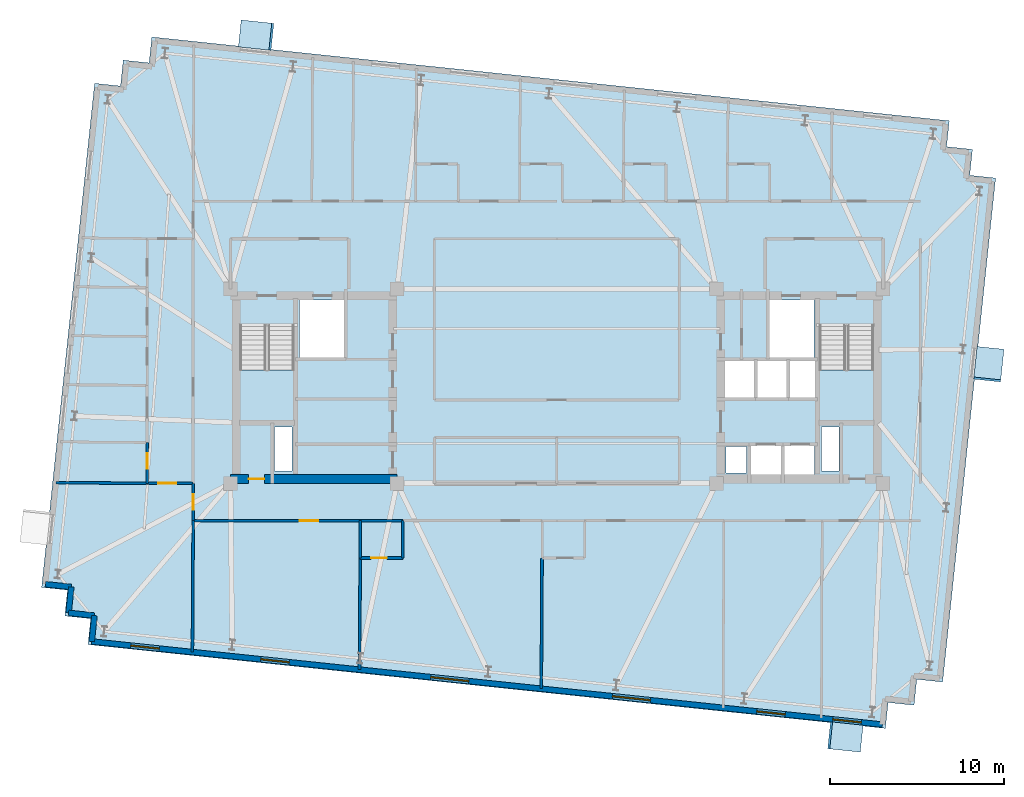
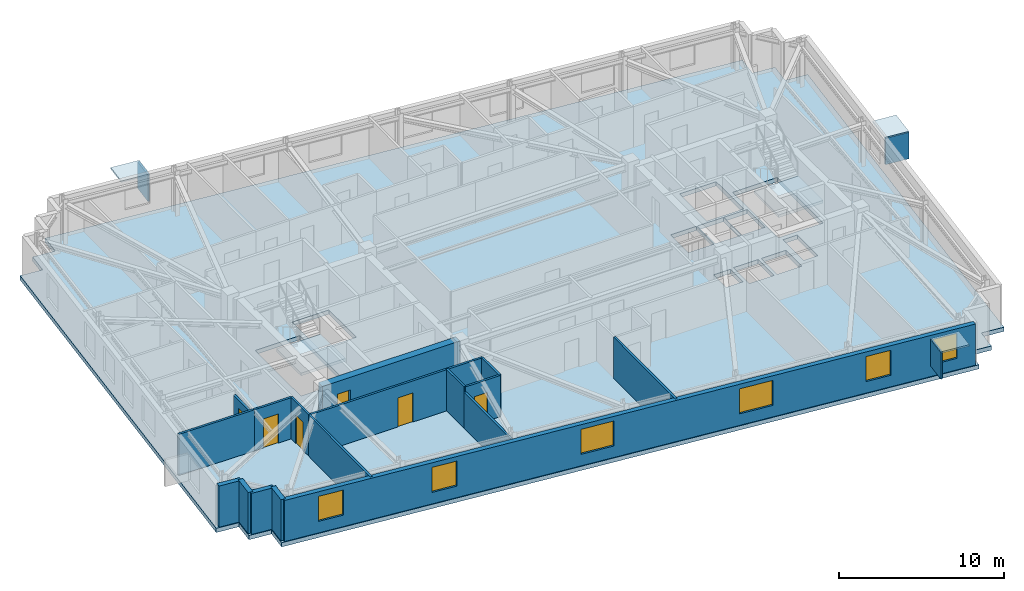
# One storey, part 5 of 12: 18 walls, 6 doors, 6 plates, 6 windows, 3 slabs, 12 openings, 2 elements without a shape of their own.
"""IFC4 building model written with IfcOpenShell, lengths in metres."""

from ifc_helpers import new_model, si_unit, direction, frame, frame_2d, origin, origin_2d, place, context, subcontext, project, spatial, polyline, rectangle, outline, extrude, material, layer, layer_set, type_object, element, fill, aggregate, save


model = new_model("IFC4")

# Units and contexts
model_context = context("Model", 3, precision=1e-05, world=origin(), true_north=direction((0.0, 1.0)))
body_context = subcontext(model_context, "Body", "Model", "MODEL_VIEW")
ifc_project = project(units=[si_unit("LENGTHUNIT", "METRE"), si_unit("AREAUNIT", "SQUARE_METRE"), si_unit("VOLUMEUNIT", "CUBIC_METRE"), si_unit("PLANEANGLEUNIT", "RADIAN"), si_unit("MASSUNIT", "GRAM", prefix="KILO")], contexts=[model_context])

# Site, building, storey
site_placement = place(None, origin())
site = spatial("IfcSite", under=ifc_project, at=site_placement, CompositionType="ELEMENT")
building_placement = place(site_placement, origin())
building = spatial("IfcBuilding", under=site, at=building_placement, Name="Qobustan Lattice House", CompositionType="ELEMENT")
storey_placement = place(building_placement, frame((0.0, 0.0, 183.0)))
storey = spatial("IfcBuildingStorey", under=building, at=storey_placement, Name="L51", CompositionType="ELEMENT", Elevation=183.0)

# Plates
ifc_material_1 = material(Name="Qobustan limestone GFRC", Category="masonry")
ifc_layer_1 = layer(ifc_material_1, 0.1201171875)
ifc_layer_set_1 = layer_set([ifc_layer_1], Name="Qobustan limestone GFRC")
plate_type = type_object("IfcPlateType", Name="SHD-HOOD-BROW", PredefinedType="USERDEFINED", material=ifc_layer_set_1)
plate_1_placement = place(storey_placement, frame((-17.3251953125, 20.220703125, 2.699951171875), z_axis=(0.0, 0.0, 1.0), x_axis=(0.994521895368, -0.104528463268, 0.0)))
element("IfcPlate", 1, at=plate_1_placement, inside=storey, type_object=plate_type, Name="L51 splayed Qobustan stone hood brow", ObjectType="SUNSHADE", PredefinedType="USERDEFINED", context=body_context, shape_type="SweptSolid", body=[
    extrude(rectangle(XDim=1.889892578125, YDim=1.56005859375, at=origin_2d()), origin(), (0.0, 0.0, 1.0), 0.1201171875),
])
plate_2_placement = place(storey_placement, frame((-16.445068359375, 20.128173828125, 0.7900390625), z_axis=(0.0, 0.0, 1.0), x_axis=(0.994521895368, -0.104528463268, 0.0)))
element("IfcPlate", 2, at=plate_2_placement, inside=storey, type_object=plate_type, Name="L51 splayed Qobustan stone hood cheek", ObjectType="SUNSHADE", PredefinedType="USERDEFINED", context=body_context, shape_type="SweptSolid", body=[
    extrude(rectangle(XDim=0.1201171875, YDim=1.56005859375, at=origin_2d()), origin(), (0.0, 0.0, 1.0), 1.969970703125),
])
plate_3_placement = place(storey_placement, frame((24.8896484375, 1.264892578125, 2.699951171875), z_axis=(0.0, 0.0, 1.0), x_axis=(-0.104528463268, -0.994521895368, 0.0)))
element("IfcPlate", 3, at=plate_3_placement, inside=storey, type_object=plate_type, Name="L51 splayed Qobustan stone hood brow", ObjectType="SUNSHADE", PredefinedType="USERDEFINED", context=body_context, shape_type="SweptSolid", body=[
    extrude(rectangle(XDim=1.889892578125, YDim=1.56005859375, at=origin_2d()), origin(), (0.0, 0.0, 1.0), 0.1201171875),
])
plate_4_placement = place(storey_placement, frame((24.797119140625, 0.384765625, 0.7900390625), z_axis=(0.0, 0.0, 1.0), x_axis=(-0.104528463268, -0.994521895368, 0.0)))
element("IfcPlate", 4, at=plate_4_placement, inside=storey, type_object=plate_type, Name="L51 splayed Qobustan stone hood cheek", ObjectType="SUNSHADE", PredefinedType="USERDEFINED", context=body_context, shape_type="SweptSolid", body=[
    extrude(rectangle(XDim=0.1201171875, YDim=1.56005859375, at=origin_2d()), origin(), (0.0, 0.0, 1.0), 1.969970703125),
])
plate_5_placement = place(storey_placement, frame((16.6279296875, -20.2099609375, 2.699951171875), z_axis=(0.0, 0.0, 1.0), x_axis=(-0.994521895368, 0.104528463268, 0.0)))
element("IfcPlate", 5, at=plate_5_placement, inside=storey, type_object=plate_type, Name="L51 splayed Qobustan stone hood brow", ObjectType="SUNSHADE", PredefinedType="USERDEFINED", context=body_context, shape_type="SweptSolid", body=[
    extrude(rectangle(XDim=1.889892578125, YDim=1.56005859375, at=origin_2d()), origin(), (0.0, 0.0, 1.0), 0.1201171875),
])
plate_6_placement = place(storey_placement, frame((15.747802734375, -20.117431640625, 0.7900390625), z_axis=(0.0, 0.0, 1.0), x_axis=(-0.994521895368, 0.104528463268, 0.0)))
element("IfcPlate", 6, at=plate_6_placement, inside=storey, type_object=plate_type, Name="L51 splayed Qobustan stone hood cheek", ObjectType="SUNSHADE", PredefinedType="USERDEFINED", context=body_context, shape_type="SweptSolid", body=[
    extrude(rectangle(XDim=0.1201171875, YDim=1.56005859375, at=origin_2d()), origin(), (0.0, 0.0, 1.0), 1.969970703125),
])

# Slab
ifc_material_2 = material(Name="Concrete C40/50", Category="concrete")
ifc_layer_2 = layer(ifc_material_2, 0.31005859375)
ifc_layer_set_2 = layer_set([ifc_layer_2], Name="Concrete C40/50")
slab_type_1 = type_object("IfcSlabType", Name="SLB-FLR-310", PredefinedType="FLOOR", material=ifc_layer_set_2)
slab_1_placement = place(storey_placement, frame((0.0, 0.0, -0.31005859375)))
element("IfcSlab", 7, at=slab_1_placement, inside=storey, type_object=slab_type_1, Name="L51 structural floor slab", PredefinedType="FLOOR", context=body_context, shape_type="SweptSolid", body=[
    extrude(outline(polyline([(-27.01318359375, -14.888916015625), (18.933837890625, -19.71826171875), (19.090576171875, -18.226318359375), (20.582275390625, -18.38330078125), (20.739013671875, -16.891357421875), (22.23095703125, -17.048095703125), (25.283203125, 11.99169921875), (23.79150390625, 12.148681640625), (23.947998046875, 13.640380859375), (22.456298828125, 13.797119140625), (22.61328125, 15.2890625), (-23.333740234375, 20.1181640625), (-23.490478515625, 18.62646484375), (-24.982421875, 18.783203125), (-25.13916015625, 17.29150390625), (-26.630859375, 17.4482421875), (-29.68310546875, -11.591796875), (-28.19140625, -11.74853515625), (-28.34814453125, -13.240478515625), (-26.8564453125, -13.397216796875), (-27.01318359375, -14.888916015625)]), holes=[polyline([(-18.25, -2.050048828125), (-18.25, 3.489990234375), (-15.1298828125, 3.489990234375), (-15.1298828125, -2.050048828125), (-18.25, -2.050048828125)]), polyline([(15.1298828125, -2.050048828125), (15.1298828125, 3.489990234375), (18.25, 3.489990234375), (18.25, -2.050048828125), (15.1298828125, -2.050048828125)]), polyline([(-14.820068359375, 1.64990234375), (-14.820068359375, 4.9599609375), (-12.25, 4.9599609375), (-12.25, 1.64990234375), (-14.820068359375, 1.64990234375)]), polyline([(12.25, 1.64990234375), (12.25, 4.9599609375), (14.820068359375, 4.9599609375), (14.820068359375, 1.64990234375), (12.25, 1.64990234375)]), polyline([(-16.260009765625, -4.8798828125), (-16.260009765625, -2.360107421875), (-15.260009765625, -2.360107421875), (-15.260009765625, -4.8798828125), (-16.260009765625, -4.8798828125)]), polyline([(15.260009765625, -4.8798828125), (15.260009765625, -2.360107421875), (16.260009765625, -2.360107421875), (16.260009765625, -4.8798828125), (15.260009765625, -4.8798828125)]), polyline([(11.179931640625, -5.35009765625), (11.179931640625, -3.419921875), (12.919921875, -3.419921875), (12.919921875, -5.35009765625), (11.179931640625, -5.35009765625)]), polyline([(13.1201171875, -5.35009765625), (13.1201171875, -3.419921875), (14.85009765625, -3.419921875), (14.85009765625, -5.35009765625), (13.1201171875, -5.35009765625)]), polyline([(9.760009765625, -5.0), (9.760009765625, -3.47998046875), (10.93994140625, -3.47998046875), (10.93994140625, -5.0), (9.760009765625, -5.0)]), polyline([(13.360107421875, -0.679931640625), (13.360107421875, 1.47998046875), (14.97998046875, 1.47998046875), (14.97998046875, -0.679931640625), (13.360107421875, -0.679931640625)]), polyline([(9.6201171875, -0.679931640625), (9.6201171875, 1.47998046875), (11.43994140625, 1.47998046875), (11.43994140625, -0.679931640625), (9.6201171875, -0.679931640625)]), polyline([(11.5, -0.679931640625), (11.5, 1.47998046875), (13.320068359375, 1.47998046875), (13.320068359375, -0.679931640625), (11.5, -0.679931640625)])]), origin(), (0.0, 0.0, 1.0), 0.31005859375),
])

# Stair, slab
ifc_material_3 = material(Name="Concrete C40/50", Category="concrete")
stair_type = type_object("IfcStairType", Name="STR-CORE-DOGLEG", PredefinedType="HALF_TURN_STAIR", material=ifc_material_3)
stair_1_placement = place(storey_placement, origin())
stair_1 = element("IfcStair", 8, at=stair_1_placement, inside=storey, type_object=stair_type, Name="L51 West protected exit stair ST-W1", PredefinedType="HALF_TURN_STAIR")
ifc_material_4 = material(Name="Concrete C40/50", Category="concrete")
ifc_layer_3 = layer(ifc_material_4, 0.199951171875)
ifc_layer_set_3 = layer_set([ifc_layer_3], Name="Concrete C40/50")
slab_type_2 = type_object("IfcSlabType", Name="SLB-LANDING-200", PredefinedType="LANDING", material=ifc_layer_set_3)
slab_2_placement = place(storey_placement, frame((0.0, 0.0, 1.47509765625)))
slab_2 = element("IfcSlab", 9, at=slab_2_placement, type_object=slab_type_2, Name="ST-W1 landing 1", PredefinedType="LANDING", context=body_context, shape_type="SweptSolid", body=[
    extrude(outline(polyline([(-18.25, 0.93505859375), (-18.25, -2.050048828125), (-15.1298828125, -2.050048828125), (-15.1298828125, 0.93505859375), (-18.25, 0.93505859375)])), origin(), (0.0, 0.0, 1.0), 0.199951171875),
])
aggregate(stair_1, [slab_2])

stair_2_placement = place(storey_placement, origin())
stair_2 = element("IfcStair", 10, at=stair_2_placement, inside=storey, type_object=stair_type, Name="L51 East protected exit stair ST-E1", PredefinedType="HALF_TURN_STAIR")
slab_3_placement = place(storey_placement, frame((0.0, 0.0, 1.47509765625)))
slab_3 = element("IfcSlab", 11, at=slab_3_placement, type_object=slab_type_2, Name="ST-E1 landing 1", PredefinedType="LANDING", context=body_context, shape_type="SweptSolid", body=[
    extrude(outline(polyline([(15.1298828125, 0.93505859375), (15.1298828125, -2.050048828125), (18.25, -2.050048828125), (18.25, 0.93505859375), (15.1298828125, 0.93505859375)])), origin(), (0.0, 0.0, 1.0), 0.199951171875),
])
aggregate(stair_2, [slab_3])

# Wall, opening, door
ifc_material_5 = material(Name="Concrete C50/60", Category="concrete")
ifc_layer_4 = layer(ifc_material_5, 0.5)
ifc_layer_set_4 = layer_set([ifc_layer_4], Name="Concrete C50/60")
wall_type_1 = type_object("IfcWallType", Name="WAL-CORE-500", PredefinedType="SHEAR", material=ifc_layer_set_4)
wall_1_placement = place(storey_placement, frame((-18.800048828125, -5.35009765625, 0.0), z_axis=(0.0, 0.0, 1.0), x_axis=(1.0, 0.0, 0.0)))
wall_1 = element("IfcWall", 12, at=wall_1_placement, inside=storey, type_object=wall_type_1, Name="L51 split-core shear wall CW-S", PredefinedType="SHEAR", context=body_context, shape_type="SweptSolid", body=[
    extrude(rectangle(XDim=9.60009765625, YDim=0.5, at=frame_2d((4.800048828125, 0.0))), origin(), (0.0, 0.0, 1.0), 3.0400390625),
])
opening_1_placement = place(wall_1_placement, frame((1.050048828125, 0.0, 0.0)))
opening_1 = element("IfcOpeningElement", 13, at=opening_1_placement, cuts=wall_1, Name="Opening RD-01", PredefinedType="OPENING", context=body_context, shape_type="SweptSolid", body=[
    extrude(rectangle(XDim=0.89990234375, YDim=2.10009765625, at=frame_2d((0.449951171875, 1.050048828125))), frame((0.0, 0.260009765625, 0.0), z_axis=(0.0, -1.0, 0.0), x_axis=(1.0, 0.0, 0.0)), (0.0, 0.0, 1.0), 0.52001953125),
])
ifc_material_6 = material(Name="Persian walnut timber and steel frame door", Category="steel")
door_type_1 = type_object("IfcDoorType", Name="DOR-RISER-FD-900x2100", OperationType="NOTDEFINED", PredefinedType="DOOR", material=ifc_material_6)
door_1_placement = place(opening_1_placement, origin())
door_1 = element("IfcDoor", 14, at=door_1_placement, inside=storey, type_object=door_type_1, Name="L51 core service riser access door W", OperationType="SINGLE_SWING_LEFT", OverallHeight=2.10009765625, OverallWidth=0.89990234375, PredefinedType="DOOR", context=body_context, shape_type="SweptSolid", body=[
    extrude(rectangle(XDim=0.89990234375, YDim=2.10009765625, at=frame_2d((0.449951171875, 1.050048828125))), frame((0.0, 0.02490234375, 0.0), z_axis=(0.0, -1.0, 0.0), x_axis=(1.0, 0.0, 0.0)), (0.0, 0.0, 1.0), 0.050048828125),
])
fill(opening_1, door_1)

# Walls
ifc_material_7 = material(Name="Precast concrete C40/50", Category="concrete")
ifc_layer_5 = layer(ifc_material_7, 0.320068359375)
ifc_layer_set_5 = layer_set([ifc_layer_5], Name="Precast concrete C40/50")
wall_type_2 = type_object("IfcWallType", Name="WAL-EXT-STONE-320", PredefinedType="SOLIDWALL", material=ifc_layer_set_5)
for number, where, z_axis, x_axis, name in (
    (15, (-26.79345703125, -14.7109375, 0.0), (0.0, 0.0, 1.0), (0.104498377516, 0.994525057048, 0.0), "L51 exterior limestone-clad wall 1"),
    (16, (-26.63671875, -13.21923828125, 0.0), (0.0, 0.0, 1.0), (-0.994525057048, 0.104498377516, 0.0), "L51 exterior limestone-clad wall 2"),
):
    element("IfcWall", number, at=place(storey_placement, frame(where, z_axis=z_axis, x_axis=x_axis)), inside=storey, type_object=wall_type_2, Name=name, PredefinedType="SOLIDWALL", context=body_context, shape_type="SweptSolid", body=[
        extrude(rectangle(XDim=1.5, YDim=0.320068359375, at=frame_2d((0.75, 0.0))), origin(), (0.0, 0.0, 1.0), 3.0400390625),
    ])
wall_2_placement = place(storey_placement, frame((-28.12841796875, -13.0625, 0.0), z_axis=(0.0, 0.0, 1.0), x_axis=(0.104481464157, 0.994526834051, 0.0)))
element("IfcWall", 17, at=wall_2_placement, inside=storey, type_object=wall_type_2, Name="L51 exterior limestone-clad wall 3", PredefinedType="SOLIDWALL", context=body_context, shape_type="SweptSolid", body=[
    extrude(rectangle(XDim=1.500244140625, YDim=0.320068359375, at=frame_2d((0.75, 0.0))), origin(), (0.0, 0.0, 1.0), 3.0400390625),
])
wall_3_placement = place(storey_placement, frame((-27.9716796875, -11.570556640625, 0.0), z_axis=(0.0, 0.0, 1.0), x_axis=(-0.994525057048, 0.104498377516, 0.0)))
element("IfcWall", 18, at=wall_3_placement, inside=storey, type_object=wall_type_2, Name="L51 exterior limestone-clad wall 4", PredefinedType="SOLIDWALL", context=body_context, shape_type="SweptSolid", body=[
    extrude(rectangle(XDim=1.5, YDim=0.320068359375, at=frame_2d((0.75, 0.0))), origin(), (0.0, 0.0, 1.0), 3.0400390625),
])

# Wall, openings, windows
wall_4_placement = place(storey_placement, frame((18.755859375, -19.498291015625, 0.0), z_axis=(0.0, 0.0, 1.0), x_axis=(-0.994522060044, 0.104526896475, 0.0)))
wall_4 = element("IfcWall", 19, at=wall_4_placement, inside=storey, type_object=wall_type_2, Name="L51 exterior limestone-clad wall 20", PredefinedType="SOLIDWALL", context=body_context, shape_type="SweptSolid", body=[
    extrude(rectangle(XDim=45.80029296875, YDim=0.320068359375, at=frame_2d((22.900146484375, 0.0))), origin(), (0.0, 0.0, 1.0), 3.0400390625),
])
opening_2_placement = place(wall_4_placement, frame((1.216796875, 0.0, 0.85009765625)))
opening_2 = element("IfcOpeningElement", 20, at=opening_2_placement, cuts=wall_4, Name="Opening WN-09", PredefinedType="OPENING", context=body_context, shape_type="SweptSolid", body=[
    extrude(rectangle(XDim=1.64990234375, YDim=1.85009765625, at=frame_2d((0.824951171875, 0.925048828125))), frame((0.0, 0.169921875, 0.0), z_axis=(0.0, -1.0, 0.0), x_axis=(1.0, 0.0, 0.0)), (0.0, 0.0, 1.0), 0.340087890625),
])
opening_3_placement = place(wall_4_placement, frame((5.62060546875, 0.0, 0.85009765625)))
opening_3 = element("IfcOpeningElement", 21, at=opening_3_placement, cuts=wall_4, Name="Opening WN-09", PredefinedType="OPENING", context=body_context, shape_type="SweptSolid", body=[
    extrude(rectangle(XDim=1.64990234375, YDim=1.85009765625, at=frame_2d((0.824951171875, 0.925048828125))), frame((0.0, 0.169921875, 0.0), z_axis=(0.0, -1.0, 0.0), x_axis=(1.0, 0.0, 0.0)), (0.0, 0.0, 1.0), 0.340087890625),
])
opening_4_placement = place(wall_4_placement, frame((13.4326171875, 0.0, 0.85009765625)))
opening_4 = element("IfcOpeningElement", 22, at=opening_4_placement, cuts=wall_4, Name="Opening WN-03", PredefinedType="OPENING", context=body_context, shape_type="SweptSolid", body=[
    extrude(rectangle(XDim=2.199951171875, YDim=1.85009765625, at=frame_2d((1.10009765625, 0.925048828125))), frame((0.0, 0.169921875, 0.0), z_axis=(0.0, -1.0, 0.0), x_axis=(1.0, 0.0, 0.0)), (0.0, 0.0, 1.0), 0.340087890625),
])
opening_5_placement = place(wall_4_placement, frame((23.9619140625, 0.0, 0.85009765625)))
opening_5 = element("IfcOpeningElement", 23, at=opening_5_placement, cuts=wall_4, Name="Opening WN-03", PredefinedType="OPENING", context=body_context, shape_type="SweptSolid", body=[
    extrude(rectangle(XDim=2.199951171875, YDim=1.85009765625, at=frame_2d((1.10009765625, 0.925048828125))), frame((0.0, 0.169921875, 0.0), z_axis=(0.0, -1.0, 0.0), x_axis=(1.0, 0.0, 0.0)), (0.0, 0.0, 1.0), 0.340087890625),
])
opening_6_placement = place(wall_4_placement, frame((34.36572265625, 0.0, 0.85009765625)))
opening_6 = element("IfcOpeningElement", 24, at=opening_6_placement, cuts=wall_4, Name="Opening WN-09", PredefinedType="OPENING", context=body_context, shape_type="SweptSolid", body=[
    extrude(rectangle(XDim=1.64990234375, YDim=1.85009765625, at=frame_2d((0.824951171875, 0.925048828125))), frame((0.0, 0.169921875, 0.0), z_axis=(0.0, -1.0, 0.0), x_axis=(1.0, 0.0, 0.0)), (0.0, 0.0, 1.0), 0.340087890625),
])
opening_7_placement = place(wall_4_placement, frame((41.892333984375, 0.0, 0.85009765625)))
opening_7 = element("IfcOpeningElement", 25, at=opening_7_placement, cuts=wall_4, Name="Opening WN-09", PredefinedType="OPENING", context=body_context, shape_type="SweptSolid", body=[
    extrude(rectangle(XDim=1.64990234375, YDim=1.85009765625, at=frame_2d((0.824951171875, 0.925048828125))), frame((0.0, 0.169921875, 0.0), z_axis=(0.0, -1.0, 0.0), x_axis=(1.0, 0.0, 0.0)), (0.0, 0.0, 1.0), 0.340087890625),
])
ifc_material_8 = material(Name="Double-glazed low-E aluminium window", Category="aluminium")
window_type_1 = type_object("IfcWindowType", Name="WIN-STU-1650x1850", PartitioningType="SINGLE_PANEL", PredefinedType="WINDOW", material=ifc_material_8)
window_1_placement = place(opening_2_placement, origin())
window_1 = element("IfcWindow", 26, at=window_1_placement, inside=storey, type_object=window_type_1, Name="L51 Academic seminar room window", OverallHeight=1.85009765625, OverallWidth=1.64990234375, PartitioningType="SINGLE_PANEL", PredefinedType="WINDOW", context=body_context, shape_type="SweptSolid", body=[
    extrude(rectangle(XDim=1.64990234375, YDim=1.85009765625, at=frame_2d((0.824951171875, 0.925048828125))), frame((0.0, 0.030029296875, 0.0), z_axis=(0.0, -1.0, 0.0), x_axis=(1.0, 0.0, 0.0)), (0.0, 0.0, 1.0), 0.06005859375),
])
fill(opening_2, window_1)
window_2_placement = place(opening_3_placement, origin())
window_2 = element("IfcWindow", 27, at=window_2_placement, inside=storey, type_object=window_type_1, Name="L51 Group study room window", OverallHeight=1.85009765625, OverallWidth=1.64990234375, PartitioningType="SINGLE_PANEL", PredefinedType="WINDOW", context=body_context, shape_type="SweptSolid", body=[
    extrude(rectangle(XDim=1.64990234375, YDim=1.85009765625, at=frame_2d((0.824951171875, 0.925048828125))), frame((0.0, 0.030029296875, 0.0), z_axis=(0.0, -1.0, 0.0), x_axis=(1.0, 0.0, 0.0)), (0.0, 0.0, 1.0), 0.06005859375),
])
fill(opening_3, window_2)
window_3_placement = place(opening_6_placement, origin())
window_3 = element("IfcWindow", 28, at=window_3_placement, inside=storey, type_object=window_type_1, Name="L51 Focus study room S1 window", OverallHeight=1.85009765625, OverallWidth=1.64990234375, PartitioningType="SINGLE_PANEL", PredefinedType="WINDOW", context=body_context, shape_type="SweptSolid", body=[
    extrude(rectangle(XDim=1.64990234375, YDim=1.85009765625, at=frame_2d((0.824951171875, 0.925048828125))), frame((0.0, 0.030029296875, 0.0), z_axis=(0.0, -1.0, 0.0), x_axis=(1.0, 0.0, 0.0)), (0.0, 0.0, 1.0), 0.06005859375),
])
fill(opening_6, window_3)
window_4_placement = place(opening_7_placement, origin())
window_4 = element("IfcWindow", 29, at=window_4_placement, inside=storey, type_object=window_type_1, Name="L51 Reading study room L51WS window", OverallHeight=1.85009765625, OverallWidth=1.64990234375, PartitioningType="SINGLE_PANEL", PredefinedType="WINDOW", context=body_context, shape_type="SweptSolid", body=[
    extrude(rectangle(XDim=1.64990234375, YDim=1.85009765625, at=frame_2d((0.824951171875, 0.925048828125))), frame((0.0, 0.030029296875, 0.0), z_axis=(0.0, -1.0, 0.0), x_axis=(1.0, 0.0, 0.0)), (0.0, 0.0, 1.0), 0.06005859375),
])
fill(opening_7, window_4)
ifc_material_9 = material(Name="Double-glazed low-E aluminium window", Category="aluminium")
window_type_2 = type_object("IfcWindowType", Name="WIN-WIDE-2200x1850", PartitioningType="SINGLE_PANEL", PredefinedType="WINDOW", material=ifc_material_9)
window_5_placement = place(opening_4_placement, origin())
window_5 = element("IfcWindow", 30, at=window_5_placement, inside=storey, type_object=window_type_2, Name="L51 Kitchenette and studio apartment L51-S3 window", OverallHeight=1.85009765625, OverallWidth=2.199951171875, PartitioningType="SINGLE_PANEL", PredefinedType="WINDOW", context=body_context, shape_type="SweptSolid", body=[
    extrude(rectangle(XDim=2.199951171875, YDim=1.85009765625, at=frame_2d((1.10009765625, 0.925048828125))), frame((0.0, 0.030029296875, 0.0), z_axis=(0.0, -1.0, 0.0), x_axis=(1.0, 0.0, 0.0)), (0.0, 0.0, 1.0), 0.06005859375),
])
fill(opening_4, window_5)
window_6_placement = place(opening_5_placement, origin())
window_6 = element("IfcWindow", 31, at=window_6_placement, inside=storey, type_object=window_type_2, Name="L51 Kitchenette and studio apartment L51-S2 window", OverallHeight=1.85009765625, OverallWidth=2.199951171875, PartitioningType="SINGLE_PANEL", PredefinedType="WINDOW", context=body_context, shape_type="SweptSolid", body=[
    extrude(rectangle(XDim=2.199951171875, YDim=1.85009765625, at=frame_2d((1.10009765625, 0.925048828125))), frame((0.0, 0.030029296875, 0.0), z_axis=(0.0, -1.0, 0.0), x_axis=(1.0, 0.0, 0.0)), (0.0, 0.0, 1.0), 0.06005859375),
])
fill(opening_5, window_6)

# Wall, opening, door
ifc_material_10 = material(Name="Acoustic twin-stud gypsum partition", Category="gypsum")
ifc_layer_6 = layer(ifc_material_10, 0.14990234375)
ifc_layer_set_6 = layer_set([ifc_layer_6], Name="Acoustic twin-stud gypsum partition")
wall_type_3 = type_object("IfcWallType", Name="WAL-PART-150", PredefinedType="PARTITIONING", material=ifc_layer_set_6)
wall_5_placement = place(storey_placement, frame((-20.949951171875, -7.75, 0.0), z_axis=(0.0, 0.0, 1.0), x_axis=(0.0, 1.0, 0.0)))
wall_5 = element("IfcWall", 32, at=wall_5_placement, inside=storey, type_object=wall_type_3, Name="L51 interior partition 46", PredefinedType="PARTITIONING", context=body_context, shape_type="SweptSolid", body=[
    extrude(rectangle(XDim=2.14990234375, YDim=0.14990234375, at=frame_2d((1.074951171875, 0.0))), origin(), (0.0, 0.0, 1.0), 3.0400390625),
])
opening_8_placement = place(wall_5_placement, frame((0.625, 0.0, 0.0)))
opening_8 = element("IfcOpeningElement", 33, at=opening_8_placement, cuts=wall_5, Name="Opening WD-01", PredefinedType="OPENING", context=body_context, shape_type="SweptSolid", body=[
    extrude(rectangle(XDim=0.89990234375, YDim=2.10009765625, at=frame_2d((0.449951171875, 1.050048828125))), frame((0.0, 0.0849609375, 0.0), z_axis=(0.0, -1.0, 0.0), x_axis=(1.0, 0.0, 0.0)), (0.0, 0.0, 1.0), 0.169921875),
])
ifc_material_11 = material(Name="Persian walnut timber and steel frame door", Category="steel")
door_type_2 = type_object("IfcDoorType", Name="DOR-WET-900x2100", OperationType="NOTDEFINED", PredefinedType="DOOR", material=ifc_material_11)
door_2_placement = place(opening_8_placement, origin())
door_2 = element("IfcDoor", 34, at=door_2_placement, inside=storey, type_object=door_type_2, Name="L51 South-west floor corridor to Reading study room L51WS door", OperationType="SINGLE_SWING_LEFT", OverallHeight=2.10009765625, OverallWidth=0.89990234375, PredefinedType="DOOR", context=body_context, shape_type="SweptSolid", body=[
    extrude(rectangle(XDim=0.89990234375, YDim=2.10009765625, at=frame_2d((0.449951171875, 1.050048828125))), frame((0.0, 0.02490234375, 0.0), z_axis=(0.0, -1.0, 0.0), x_axis=(1.0, 0.0, 0.0)), (0.0, 0.0, 1.0), 0.050048828125),
])
fill(opening_8, door_2)

wall_6_placement = place(storey_placement, frame((-11.324951171875, -7.75, 0.0), z_axis=(0.0, 0.0, 1.0), x_axis=(-1.0, 0.0, 0.0)))
wall_6 = element("IfcWall", 35, at=wall_6_placement, inside=storey, type_object=wall_type_3, Name="L51 interior partition 47", PredefinedType="PARTITIONING", context=body_context, shape_type="SweptSolid", body=[
    extrude(rectangle(XDim=9.625, YDim=0.14990234375, at=frame_2d((4.8125, 0.0))), origin(), (0.0, 0.0, 1.0), 3.0400390625),
])
opening_9_placement = place(wall_6_placement, frame((2.43359375, 0.0, 0.0)))
opening_9 = element("IfcOpeningElement", 36, at=opening_9_placement, cuts=wall_6, Name="Opening ID-02", PredefinedType="OPENING", context=body_context, shape_type="SweptSolid", body=[
    extrude(rectangle(XDim=1.050048828125, YDim=2.14990234375, at=frame_2d((0.52490234375, 1.074951171875))), frame((0.0, 0.0849609375, 0.0), z_axis=(0.0, -1.0, 0.0), x_axis=(1.0, 0.0, 0.0)), (0.0, 0.0, 1.0), 0.169921875),
])
ifc_material_12 = material(Name="Persian walnut timber and steel frame door", Category="steel")
door_type_3 = type_object("IfcDoorType", Name="DOR-STUDY-1050x2150", OperationType="NOTDEFINED", PredefinedType="DOOR", material=ifc_material_12)
door_3_placement = place(opening_9_placement, origin())
door_3 = element("IfcDoor", 37, at=door_3_placement, inside=storey, type_object=door_type_3, Name="L51 South-west floor corridor to Focus study room S1 door", OperationType="SINGLE_SWING_RIGHT", OverallHeight=2.14990234375, OverallWidth=1.050048828125, PredefinedType="DOOR", context=body_context, shape_type="SweptSolid", body=[
    extrude(rectangle(XDim=1.050048828125, YDim=2.14990234375, at=frame_2d((0.52490234375, 1.074951171875))), frame((0.0, 0.02490234375, 0.0), z_axis=(0.0, -1.0, 0.0), x_axis=(1.0, 0.0, 0.0)), (0.0, 0.0, 1.0), 0.050048828125),
])
fill(opening_9, door_3)

wall_7_placement = place(storey_placement, frame((-20.949951171875, -5.60009765625, 0.0), z_axis=(0.0, 0.0, 1.0), x_axis=(-1.0, 0.0, 0.0)))
wall_7 = element("IfcWall", 38, at=wall_7_placement, inside=storey, type_object=wall_type_3, Name="L51 interior partition 67", PredefinedType="PARTITIONING", context=body_context, shape_type="SweptSolid", body=[
    extrude(rectangle(XDim=2.650146484375, YDim=0.14990234375, at=frame_2d((1.3251953125, 0.0))), origin(), (0.0, 0.0, 1.0), 3.0400390625),
])
opening_10_placement = place(wall_7_placement, frame((0.965087890625, 0.0, 0.0)))
opening_10 = element("IfcOpeningElement", 39, at=opening_10_placement, cuts=wall_7, Name="Opening ID-02", PredefinedType="OPENING", context=body_context, shape_type="SweptSolid", body=[
    extrude(rectangle(XDim=1.050048828125, YDim=2.14990234375, at=frame_2d((0.52490234375, 1.074951171875))), frame((0.0, 0.0849609375, 0.0), z_axis=(0.0, -1.0, 0.0), x_axis=(1.0, 0.0, 0.0)), (0.0, 0.0, 1.0), 0.169921875),
])
door_4_placement = place(opening_10_placement, origin())
door_4 = element("IfcDoor", 40, at=door_4_placement, inside=storey, type_object=door_type_3, Name="L51 Residence entrance hall L51W to Reading study room L51WS door", OperationType="SINGLE_SWING_LEFT", OverallHeight=2.14990234375, OverallWidth=1.050048828125, PredefinedType="DOOR", context=body_context, shape_type="SweptSolid", body=[
    extrude(rectangle(XDim=1.050048828125, YDim=2.14990234375, at=frame_2d((0.52490234375, 1.074951171875))), frame((0.0, 0.02490234375, 0.0), z_axis=(0.0, -1.0, 0.0), x_axis=(1.0, 0.0, 0.0)), (0.0, 0.0, 1.0), 0.050048828125),
])
fill(opening_10, door_4)

# Walls
wall_8_placement = place(storey_placement, frame((-20.949951171875, -7.75, 0.0), z_axis=(0.0, 0.0, 1.0), x_axis=(-0.005804668564, -0.99998315277, 0.0)))
element("IfcWall", 41, at=wall_8_placement, inside=storey, type_object=wall_type_3, Name="L51 interior partition 76", PredefinedType="PARTITIONING", context=body_context, shape_type="SweptSolid", body=[
    extrude(rectangle(XDim=7.57080078125, YDim=0.14990234375, at=frame_2d((3.785400390625, 0.0))), origin(), (0.0, 0.0, 1.0), 3.0400390625),
])
wall_9_placement = place(storey_placement, frame((-11.324951171875, -9.89990234375, 0.0), z_axis=(0.0, 0.0, 1.0), x_axis=(-0.006831737937, -0.999976663406, 0.0)))
element("IfcWall", 42, at=wall_9_placement, inside=storey, type_object=wall_type_3, Name="L51 interior partition 100", PredefinedType="PARTITIONING", context=body_context, shape_type="SweptSolid", body=[
    extrude(rectangle(XDim=6.4326171875, YDim=0.14990234375, at=frame_2d((3.21630859375, 0.0))), origin(), (0.0, 0.0, 1.0), 2.6650390625),
])
wall_10_placement = place(storey_placement, frame((-0.85009765625, -9.89990234375, 0.0), z_axis=(0.0, 0.0, 1.0), x_axis=(-0.005801043172, -0.999983173807, 0.0)))
element("IfcWall", 43, at=wall_10_placement, inside=storey, type_object=wall_type_3, Name="L51 interior partition 104", PredefinedType="PARTITIONING", context=body_context, shape_type="SweptSolid", body=[
    extrude(rectangle(XDim=7.533447265625, YDim=0.14990234375, at=frame_2d((3.7666015625, 0.0))), origin(), (0.0, 0.0, 1.0), 3.0400390625),
])
ifc_material_13 = material(Name="Moisture-resistant acoustic plumbing wall", Category="gypsum")
ifc_layer_7 = layer(ifc_material_13, 0.14990234375)
ifc_layer_set_7 = layer_set([ifc_layer_7], Name="Moisture-resistant acoustic plumbing wall")
wall_type_4 = type_object("IfcWallType", Name="WAL-WET-150", PredefinedType="PLUMBINGWALL", material=ifc_layer_set_7)
wall_11_placement = place(storey_placement, frame((-8.875, -7.75, 0.0), z_axis=(0.0, 0.0, 1.0), x_axis=(-1.0, 0.0, 0.0)))
element("IfcWall", 44, at=wall_11_placement, inside=storey, type_object=wall_type_4, Name="L51 interior partition 49", PredefinedType="PLUMBINGWALL", context=body_context, shape_type="SweptSolid", body=[
    extrude(rectangle(XDim=2.449951171875, YDim=0.14990234375, at=frame_2d((1.22509765625, 0.0))), origin(), (0.0, 0.0, 1.0), 3.0400390625),
])

# Wall, opening, door
wall_12_placement = place(storey_placement, frame((-23.60009765625, -5.60009765625, 0.0), z_axis=(0.0, 0.0, 1.0), x_axis=(0.0, 1.0, 0.0)))
wall_12 = element("IfcWall", 45, at=wall_12_placement, inside=storey, type_object=wall_type_4, Name="L51 interior partition 68", PredefinedType="PLUMBINGWALL", context=body_context, shape_type="SweptSolid", body=[
    extrude(rectangle(XDim=2.35009765625, YDim=0.14990234375, at=frame_2d((1.175048828125, 0.0))), origin(), (0.0, 0.0, 1.0), 2.695068359375),
])
opening_11_placement = place(wall_12_placement, frame((0.833740234375, 0.0, 0.0)))
opening_11 = element("IfcOpeningElement", 46, at=opening_11_placement, cuts=wall_12, Name="Opening WD-01", PredefinedType="OPENING", context=body_context, shape_type="SweptSolid", body=[
    extrude(rectangle(XDim=0.89990234375, YDim=2.10009765625, at=frame_2d((0.449951171875, 1.050048828125))), frame((0.0, 0.0849609375, 0.0), z_axis=(0.0, -1.0, 0.0), x_axis=(1.0, 0.0, 0.0)), (0.0, 0.0, 1.0), 0.169921875),
])
door_5_placement = place(opening_11_placement, origin())
door_5 = element("IfcDoor", 47, at=door_5_placement, inside=storey, type_object=door_type_2, Name="L51 Residence entrance hall L51W to Shared bathroom L51W door", OperationType="SINGLE_SWING_RIGHT", OverallHeight=2.10009765625, OverallWidth=0.89990234375, PredefinedType="DOOR", context=body_context, shape_type="SweptSolid", body=[
    extrude(rectangle(XDim=0.89990234375, YDim=2.10009765625, at=frame_2d((0.449951171875, 1.050048828125))), frame((0.0, 0.02490234375, 0.0), z_axis=(0.0, -1.0, 0.0), x_axis=(1.0, 0.0, 0.0)), (0.0, 0.0, 1.0), 0.050048828125),
])
fill(opening_11, door_5)

# Walls
wall_13_placement = place(storey_placement, frame((-28.84765625, -5.55615234375, 0.0), z_axis=(0.0, 0.0, 1.0), x_axis=(0.999964936305, -0.008374136435, 0.0)))
element("IfcWall", 48, at=wall_13_placement, inside=storey, type_object=wall_type_4, Name="L51 interior partition 75", PredefinedType="PLUMBINGWALL", context=body_context, shape_type="SweptSolid", body=[
    extrude(rectangle(XDim=5.247802734375, YDim=0.14990234375, at=frame_2d((2.6240234375, 0.0))), origin(), (0.0, 0.0, 1.0), 3.0400390625),
])
wall_14_placement = place(storey_placement, frame((-11.324951171875, -7.75, 0.0), z_axis=(0.0, 0.0, 1.0), x_axis=(0.0, -1.0, 0.0)))
element("IfcWall", 49, at=wall_14_placement, inside=storey, type_object=wall_type_4, Name="L51 interior partition 101", PredefinedType="PLUMBINGWALL", context=body_context, shape_type="SweptSolid", body=[
    extrude(rectangle(XDim=2.14990234375, YDim=0.14990234375, at=frame_2d((1.074951171875, 0.0))), origin(), (0.0, 0.0, 1.0), 3.0400390625),
])

# Wall, opening, door
wall_15_placement = place(storey_placement, frame((-11.324951171875, -9.89990234375, 0.0), z_axis=(0.0, 0.0, 1.0), x_axis=(1.0, 0.0, 0.0)))
wall_15 = element("IfcWall", 50, at=wall_15_placement, inside=storey, type_object=wall_type_4, Name="L51 interior partition 102", PredefinedType="PLUMBINGWALL", context=body_context, shape_type="SweptSolid", body=[
    extrude(rectangle(XDim=2.449951171875, YDim=0.14990234375, at=frame_2d((1.22509765625, 0.0))), origin(), (0.0, 0.0, 1.0), 3.0400390625),
])
opening_12_placement = place(wall_15_placement, frame((0.628662109375, 0.0, 0.0)))
opening_12 = element("IfcOpeningElement", 51, at=opening_12_placement, cuts=wall_15, Name="Opening WD-01", PredefinedType="OPENING", context=body_context, shape_type="SweptSolid", body=[
    extrude(rectangle(XDim=0.89990234375, YDim=2.10009765625, at=frame_2d((0.449951171875, 1.050048828125))), frame((0.0, 0.0849609375, 0.0), z_axis=(0.0, -1.0, 0.0), x_axis=(1.0, 0.0, 0.0)), (0.0, 0.0, 1.0), 0.169921875),
])
door_6_placement = place(opening_12_placement, origin())
door_6 = element("IfcDoor", 52, at=door_6_placement, inside=storey, type_object=door_type_2, Name="L51 Kitchenette and studio apartment L51-S2 to En-suite bathroom L51-S2 door", OperationType="SINGLE_SWING_LEFT", OverallHeight=2.10009765625, OverallWidth=0.89990234375, PredefinedType="DOOR", context=body_context, shape_type="SweptSolid", body=[
    extrude(rectangle(XDim=0.89990234375, YDim=2.10009765625, at=frame_2d((0.449951171875, 1.050048828125))), frame((0.0, 0.02490234375, 0.0), z_axis=(0.0, -1.0, 0.0), x_axis=(1.0, 0.0, 0.0)), (0.0, 0.0, 1.0), 0.050048828125),
])
fill(opening_12, door_6)

# Wall
wall_16_placement = place(storey_placement, frame((-8.875, -9.89990234375, 0.0), z_axis=(0.0, 0.0, 1.0), x_axis=(0.0, 1.0, 0.0)))
element("IfcWall", 53, at=wall_16_placement, inside=storey, type_object=wall_type_4, Name="L51 interior partition 103", PredefinedType="PLUMBINGWALL", context=body_context, shape_type="SweptSolid", body=[
    extrude(rectangle(XDim=2.14990234375, YDim=0.14990234375, at=frame_2d((1.074951171875, 0.0))), origin(), (0.0, 0.0, 1.0), 3.0400390625),
])

save(model, "model.ifc")
